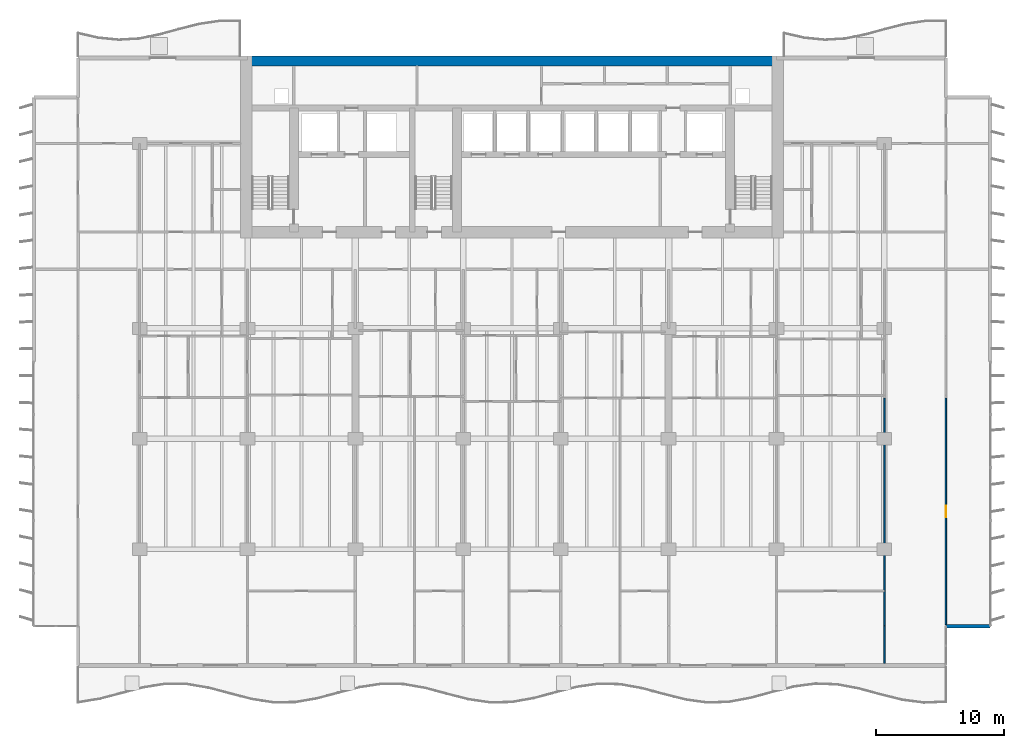
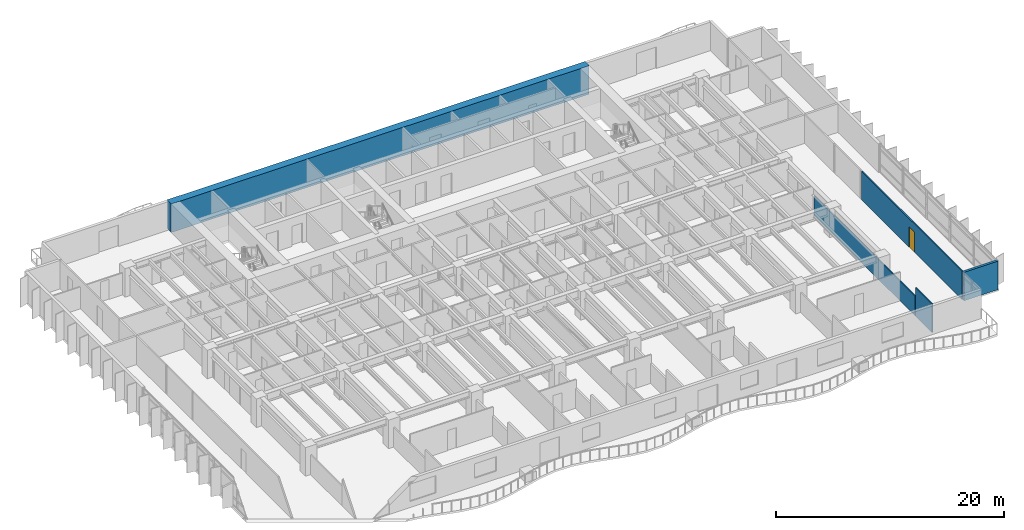
# One storey, part 12 of 18: 5 walls, 1 door, 1 opening.
"""IFC4 building model written with IfcOpenShell, lengths in metres."""

import ifcopenshell
import ifcopenshell.guid

model = None  # the IFC model being written
_history = None  # IfcOwnerHistory: only IFC2X3 demands one
_inside = {}  # id of a spatial element -> (the spatial element, [elements in it])
_under = {}  # id of a project, library or spatial element -> (it, [spatial elements below it])
_declared = {}  # id of a project -> (the project, [libraries it declares])
_typed = {}  # id of a type object -> (the type object, [elements of that type])
_made_of = {}  # id of a material, layer set ... -> (it, [elements and type objects made of it])


def new_model(schema):
    """Start an empty IFC model of exactly this schema.

    Asked for "IFC4X3", IfcOpenShell would pick the latest addendum, in which some entities
    have other attributes; the version numbers below select the first issue.
    IFC2X3 requires an IfcOwnerHistory on every rooted entity: one is made here for all.
    """
    global model, _history
    if schema == "IFC4X3":
        model = ifcopenshell.file(schema_version=(4, 3, 0, 0))
    else:
        model = ifcopenshell.file(schema=schema)
    _inside.clear()
    _under.clear()
    _declared.clear()
    _typed.clear()
    _made_of.clear()
    _history = None
    if model.schema == "IFC2X3":
        org = make("IfcOrganization", Name="unknown")
        user = make(
            "IfcPersonAndOrganization",
            ThePerson=make("IfcPerson", FamilyName="unknown"),
            TheOrganization=org,
        )
        app = make(
            "IfcApplication",
            ApplicationDeveloper=org,
            Version="unknown",
            ApplicationFullName="unknown",
            ApplicationIdentifier="unknown",
        )
        _history = make(
            "IfcOwnerHistory",
            OwningUser=user,
            OwningApplication=app,
            ChangeAction="ADDED",
            CreationDate=0,
        )
    return model


def make(cls, **values):
    """One entity of the class cls with the attributes given. An attribute that is None is left unset."""
    return model.create_entity(
        cls, **{name: value for name, value in values.items() if value is not None}
    )


def rooted(cls, **values):
    """An entity with a GlobalId (a new one), such as an element, a storey or a relation."""
    return make(cls, GlobalId=ifcopenshell.guid.new(), OwnerHistory=_history, **values)


def si_unit(unit_type, name, prefix=None):
    """IfcSIUnit, for example si_unit("LENGTHUNIT", "METRE", prefix="MILLI")."""
    return make("IfcSIUnit", UnitType=unit_type, Prefix=prefix, Name=name)


def assignment(units):
    """IfcUnitAssignment: the units of a project."""
    return None if units is None else make("IfcUnitAssignment", Units=units)


def point(xyz):
    """IfcCartesianPoint."""
    return None if xyz is None else make("IfcCartesianPoint", Coordinates=xyz)


def direction(xyz):
    """IfcDirection."""
    return None if xyz is None else make("IfcDirection", DirectionRatios=xyz)


def frame(location, z_axis=None, x_axis=None):
    """IfcAxis2Placement3D, a coordinate frame: its origin and axes. An axis left out is left unset."""
    return make(
        "IfcAxis2Placement3D",
        Location=point(location),
        Axis=direction(z_axis),
        RefDirection=direction(x_axis),
    )


def frame_2d(location, x_axis=None):
    """IfcAxis2Placement2D, a coordinate frame in the plane: its origin and x axis."""
    return make(
        "IfcAxis2Placement2D", Location=point(location), RefDirection=direction(x_axis)
    )


def origin():
    """The frame at (0, 0, 0) with its axes left unset."""
    return frame((0.0, 0.0, 0.0))


def place(relative_to, where):
    """IfcLocalPlacement: puts the frame where relative to a parent placement (None: the world)."""
    return make(
        "IfcLocalPlacement", PlacementRelTo=relative_to, RelativePlacement=where
    )


def context(
    kind, dimensions, precision=None, world=None, true_north=None, identifier=None
):
    """IfcGeometricRepresentationContext, for example the 3D "Model" context."""
    return make(
        "IfcGeometricRepresentationContext",
        ContextIdentifier=identifier,
        ContextType=kind,
        CoordinateSpaceDimension=dimensions,
        Precision=precision,
        WorldCoordinateSystem=world,
        TrueNorth=true_north,
    )


def subcontext(parent, identifier, kind, view, scale=None):
    """IfcGeometricRepresentationSubContext, for example "Body" below "Model"."""
    return make(
        "IfcGeometricRepresentationSubContext",
        ContextIdentifier=identifier,
        ContextType=kind,
        ParentContext=parent,
        TargetScale=scale,
        TargetView=view,
    )


def project(units=None, contexts=None):
    """IfcProject with its units and contexts."""
    return rooted(
        "IfcProject",
        Name="project",
        RepresentationContexts=contexts,
        UnitsInContext=assignment(units),
    )


def spatial(cls, under=None, at=None, **own):
    """A site, building, storey or space (cls), placed at a placement, below another one or the project."""
    s = rooted(cls, ObjectPlacement=at, **own)
    if under is not None:
        _under.setdefault(under.id(), (under, []))[1].append(s)
    return s


def profile(cls, at=None, kind="AREA", **sizes):
    """A parametric profile (cls). Its sizes go by their IFC names, for example OverallWidth=200.0."""
    return make(cls, ProfileType=kind, Position=at, **sizes)


def rectangle(**sizes):
    """IfcRectangleProfileDef."""
    return profile("IfcRectangleProfileDef", **sizes)


def extrude(swept, where, along, depth):
    """IfcExtrudedAreaSolid: the profile swept, set in the frame where, extruded along a direction by depth."""
    return make(
        "IfcExtrudedAreaSolid",
        SweptArea=swept,
        Position=where,
        ExtrudedDirection=direction(along),
        Depth=depth,
    )


def shape(context_of_items, identifier, shape_type, items):
    """IfcShapeRepresentation: the items that make up one representation, for example the "Body"."""
    return make(
        "IfcShapeRepresentation",
        ContextOfItems=context_of_items,
        RepresentationIdentifier=identifier,
        RepresentationType=shape_type,
        Items=items,
    )


def material(Name=None, Category=None):
    """IfcMaterial."""
    return make("IfcMaterial", Name=Name, Category=Category)


def layer(
    of_material, thickness, ventilated=None, Name=None, Category=None, Priority=None
):
    """IfcMaterialLayer: one layer of a wall or slab, of a material (None: an air gap)."""
    return make(
        "IfcMaterialLayer",
        Material=of_material,
        LayerThickness=thickness,
        IsVentilated=ventilated,
        Name=Name,
        Category=Category,
        Priority=Priority,
    )


def layer_set(layers, Name=None):
    """IfcMaterialLayerSet."""
    return make("IfcMaterialLayerSet", MaterialLayers=layers, LayerSetName=Name)


def made_of(thing, what):
    """Note that an element or type object is made of a material, layer set ...; save() writes the relation."""
    if what is not None:
        _made_of.setdefault(what.id(), (what, []))[1].append(thing)
    return thing


def type_object(cls, material=None, **own):
    """A type object (cls), such as IfcWallType, which elements share."""
    return made_of(rooted(cls, **own), material)


def element(
    cls,
    number,
    at=None,
    inside=None,
    cuts=None,
    type_object=None,
    material=None,
    context=None,
    identifier="Body",
    shape_type=None,
    held_by="IfcProductDefinitionShape",
    body=None,
    shapes=None,
    **own,
):
    """One element of the class cls, such as IfcWall. Its Tag is "e" and its number.

    at: its placement. inside: the storey or other place that contains it. cuts: it is an
    opening in that element (IfcRelVoidsElement). A single representation is given by context,
    identifier, shape_type and body (its items); several are given by shapes. held_by: the class
    of the entity that holds the representations. save() writes the other relations.
    """
    e = rooted(cls, Tag="e%d" % number, ObjectPlacement=at, **own)
    if body is not None:
        shapes = [shape(context, identifier, shape_type, body)]
    if shapes is not None:
        e.Representation = make(held_by, Representations=shapes)
    if inside is not None:
        _inside.setdefault(inside.id(), (inside, []))[1].append(e)
    if cuts is not None:
        rooted(
            "IfcRelVoidsElement", RelatingBuildingElement=cuts, RelatedOpeningElement=e
        )
    if type_object is not None:
        _typed.setdefault(type_object.id(), (type_object, []))[1].append(e)
    return made_of(e, material)


def fill(opening, filler):
    """IfcRelFillsElement: the door or window that sits in an opening."""
    return rooted(
        "IfcRelFillsElement",
        RelatingOpeningElement=opening,
        RelatedBuildingElement=filler,
    )


def aggregate(whole, parts):
    """IfcRelAggregates: a whole, such as a stair, and the parts it consists of."""
    return rooted("IfcRelAggregates", RelatingObject=whole, RelatedObjects=parts)


def save(model, path):
    """Write the relations noted so far, then the file.

    IfcRelAggregates (storeys below a building ...), IfcRelContainedInSpatialStructure (elements
    in a storey), IfcRelDefinesByType, IfcRelAssociatesMaterial and IfcRelDeclares: one each for
    every whole, place, type object, material and project.
    """
    for whole, parts in _under.values():
        aggregate(whole, parts)
    for where, things in _inside.values():
        rooted(
            "IfcRelContainedInSpatialStructure",
            RelatedElements=things,
            RelatingStructure=where,
        )
    for kind, things in _typed.values():
        rooted("IfcRelDefinesByType", RelatedObjects=things, RelatingType=kind)
    for what, things in _made_of.values():
        rooted("IfcRelAssociatesMaterial", RelatedObjects=things, RelatingMaterial=what)
    for by, libraries in _declared.values():
        rooted("IfcRelDeclares", RelatingContext=by, RelatedDefinitions=libraries)
    model.write(path)


model = new_model("IFC4")

# Units and contexts
model_context = context("Model", 3, precision=1e-05, world=origin(), true_north=direction((0.0, 1.0)))
body_context = subcontext(model_context, "Body", "Model", "MODEL_VIEW")
ifc_project = project(units=[si_unit("LENGTHUNIT", "METRE"), si_unit("AREAUNIT", "SQUARE_METRE"), si_unit("VOLUMEUNIT", "CUBIC_METRE"), si_unit("PLANEANGLEUNIT", "RADIAN"), si_unit("MASSUNIT", "GRAM", prefix="KILO")], contexts=[model_context])

# Site, building, storey
site_placement = place(None, origin())
site = spatial("IfcSite", under=ifc_project, at=site_placement, CompositionType="ELEMENT")
building_placement = place(site_placement, origin())
building = spatial("IfcBuilding", under=site, at=building_placement, Name="Caelmar Bay Residences", CompositionType="ELEMENT")
storey_placement = place(building_placement, frame((0.0, 0.0, 39.89990234375)))
storey = spatial("IfcBuildingStorey", under=building, at=storey_placement, Name="L09", CompositionType="ELEMENT", Elevation=39.89990234375)

# Walls
ifc_material_1 = material(Name="Concrete f'c 70 MPa (10,000 psi)", Category="concrete")
ifc_layer_1 = layer(ifc_material_1, 0.75)
ifc_layer_set_1 = layer_set([ifc_layer_1], Name="Concrete f'c 70 MPa (10,000 psi)")
wall_type_1 = type_object("IfcWallType", Name="SW-CORN-750", PredefinedType="SHEAR", material=ifc_layer_set_1)
wall_1_placement = place(storey_placement, frame((17.75, 50.22509765625, 0.0), z_axis=(0.0, 0.0, 1.0), x_axis=(1.0, 0.0, 0.0)))
element("IfcWall", 1, at=wall_1_placement, inside=storey, type_object=wall_type_1, Name="L09 Rear Core North Shear Wall", PredefinedType="SHEAR", context=body_context, shape_type="SweptSolid", body=[
    extrude(rectangle(XDim=42.300048828125, YDim=0.75, at=frame_2d((21.14990234375, 0.0))), origin(), (0.0, 0.0, 1.0), 3.050048828125),
])
ifc_material_2 = material(Name="Precast concrete f'c 40 MPa (6,000 psi)", Category="concrete")
ifc_layer_2 = layer(ifc_material_2, 0.25)
ifc_layer_set_2 = layer_set([ifc_layer_2], Name="Precast concrete f'c 40 MPa (6,000 psi)")
wall_type_2 = type_object("IfcWallType", Name="W-EXT-250", PredefinedType="ELEMENTEDWALL", material=ifc_layer_set_2)
wall_2_placement = place(storey_placement, frame((72.699951171875, 6.199951171875, 0.0), z_axis=(0.0, 0.0, 1.0), x_axis=(1.0, 0.0, 0.0)))
element("IfcWall", 2, at=wall_2_placement, inside=storey, type_object=wall_type_2, Name="L09 SE Notch Return Wall", PredefinedType="ELEMENTEDWALL", context=body_context, shape_type="SweptSolid", body=[
    extrude(rectangle(XDim=3.449951171875, YDim=0.25, at=frame_2d((1.72509765625, 0.0))), origin(), (0.0, 0.0, 1.0), 3.050048828125),
])
ifc_material_3 = material(Name="Acoustic metal-stud gypsum partition 120 mm")
ifc_layer_3 = layer(ifc_material_3, 0.1201171875)
ifc_layer_set_3 = layer_set([ifc_layer_3], Name="Acoustic metal-stud gypsum partition 120 mm")
wall_type_3 = type_object("IfcWallType", Name="W-PRT-120", PredefinedType="PARTITIONING", material=ifc_layer_set_3)
wall_3_placement = place(storey_placement, frame((67.89990234375, 3.294921875, 0.0), z_axis=(0.0, 0.0, 1.0), x_axis=(0.0, 1.0, 0.0)))
element("IfcWall", 3, at=wall_3_placement, inside=storey, type_object=wall_type_3, Name="L09 Partition Wall V098", PredefinedType="PARTITIONING", context=body_context, shape_type="SweptSolid", body=[
    extrude(rectangle(XDim=2.905029296875, YDim=0.1201171875, at=frame_2d((1.45263671875, 0.0))), origin(), (0.0, 0.0, 1.0), 3.050048828125),
])
wall_4_placement = place(storey_placement, frame((67.89990234375, 6.239990234375, 0.0), z_axis=(0.0, 0.0, 1.0), x_axis=(0.0, 1.0, 0.0)))
element("IfcWall", 4, at=wall_4_placement, inside=storey, type_object=wall_type_3, Name="L09 Partition Wall V099", PredefinedType="PARTITIONING", context=body_context, shape_type="SweptSolid", body=[
    extrude(rectangle(XDim=17.72998046875, YDim=0.1201171875, at=frame_2d((8.864990234375, 0.0))), origin(), (0.0, 0.0, 1.0), 2.110107421875),
])

# Wall, opening, door
wall_5_placement = place(storey_placement, frame((72.699951171875, 6.320068359375, 0.0), z_axis=(0.0, 0.0, 1.0), x_axis=(0.0, 1.0, 0.0)))
wall_5 = element("IfcWall", 5, at=wall_5_placement, inside=storey, type_object=wall_type_3, Name="L09 Partition Wall V105", PredefinedType="PARTITIONING", context=body_context, shape_type="SweptSolid", body=[
    extrude(rectangle(XDim=17.64990234375, YDim=0.1201171875, at=frame_2d((8.824951171875, 0.0))), origin(), (0.0, 0.0, 1.0), 3.050048828125),
])
opening_placement = place(wall_5_placement, frame((8.375, 0.0, 0.0)))
opening = element("IfcOpeningElement", 6, at=opening_placement, cuts=wall_5, Name="Opening D-L09-165", PredefinedType="OPENING", context=body_context, shape_type="SweptSolid", body=[
    extrude(rectangle(XDim=0.89990234375, YDim=2.14990234375, at=frame_2d((0.449951171875, 1.074951171875))), frame((0.0, 0.070068359375, 0.0), z_axis=(0.0, -1.0, 0.0), x_axis=(1.0, 0.0, 0.0)), (0.0, 0.0, 1.0), 0.14013671875),
])
ifc_material_4 = material(Name="Solid walnut timber interior door leaf and frame", Category="wood")
ifc_layer_4 = layer(ifc_material_4, 0.050048828125)
ifc_layer_set_4 = layer_set([ifc_layer_4], Name="Solid walnut timber interior door leaf and frame")
door_type = type_object("IfcDoorType", Name="D-ROOM-900", OperationType="NOTDEFINED", PredefinedType="DOOR", material=ifc_layer_set_4)
door_placement = place(opening_placement, origin())
door = element("IfcDoor", 7, at=door_placement, inside=storey, type_object=door_type, Name="L09 Residence 05 Penthouse East Salon Door", OperationType="SINGLE_SWING_RIGHT", OverallHeight=2.14990234375, OverallWidth=0.89990234375, PredefinedType="DOOR", context=body_context, shape_type="SweptSolid", body=[
    extrude(rectangle(XDim=0.89990234375, YDim=2.14990234375, at=frame_2d((0.449951171875, 1.074951171875))), frame((0.0, 0.02490234375, 0.0), z_axis=(0.0, -1.0, 0.0), x_axis=(1.0, 0.0, 0.0)), (0.0, 0.0, 1.0), 0.050048828125),
])
fill(opening, door)

save(model, "model.ifc")
